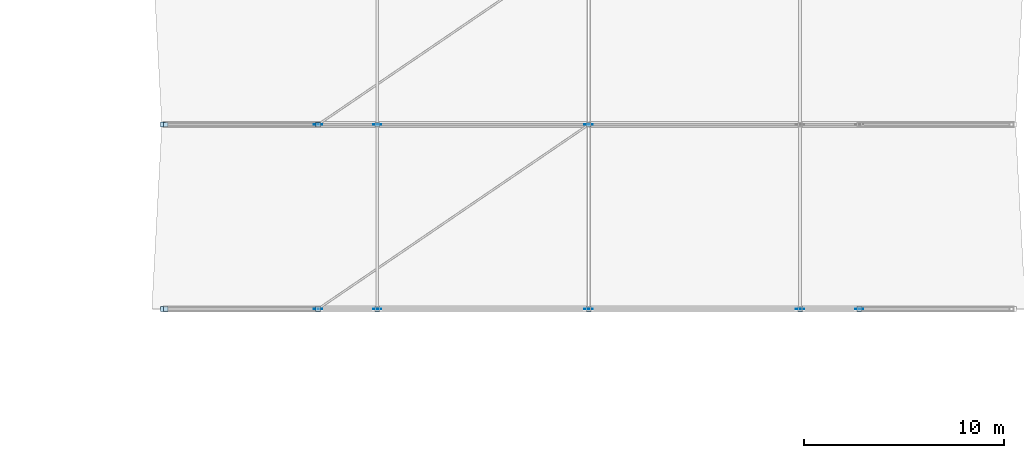
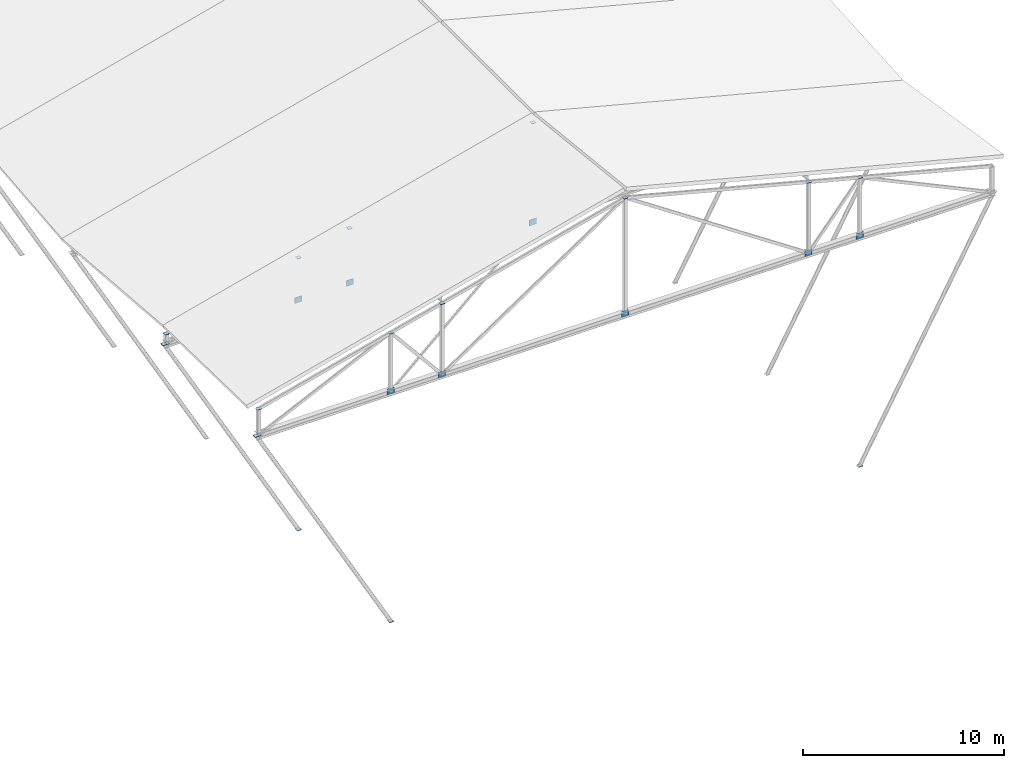
# One storey, part 48 of 56: 25 plates.
"""IFC4 building model written with IfcOpenShell, lengths in metres."""

from ifc_helpers import new_model, si_unit, direction, frame, origin, origin_2d, place, context, subcontext, project, spatial, rectangle, extrude, material, layer, layer_set, type_object, element, save


model = new_model("IFC4")

# Units and contexts
model_context = context("Model", 3, precision=1e-05, world=origin(), true_north=direction((0.0, 1.0)))
body_context = subcontext(model_context, "Body", "Model", "MODEL_VIEW")
ifc_project = project(units=[si_unit("LENGTHUNIT", "METRE"), si_unit("AREAUNIT", "SQUARE_METRE"), si_unit("VOLUMEUNIT", "CUBIC_METRE"), si_unit("PLANEANGLEUNIT", "RADIAN"), si_unit("MASSUNIT", "GRAM", prefix="KILO")], contexts=[model_context])

# Site, building, storey
site_placement = place(None, origin())
site = spatial("IfcSite", under=ifc_project, at=site_placement, CompositionType="ELEMENT")
building_placement = place(site_placement, origin())
building = spatial("IfcBuilding", under=site, at=building_placement, Name="Bozkorgan Art Gallery", CompositionType="ELEMENT")
storey_placement = place(building_placement, frame((0.0, 0.0, 24.0)))
storey = spatial("IfcBuildingStorey", under=building, at=storey_placement, Name="L05", CompositionType="ELEMENT", Elevation=24.0)

# Plates
ifc_material = material(Name="Steel S355J2", Category="steel")
ifc_layer_1 = layer(ifc_material, 0.01611328125, Name="Steel S355J2")
ifc_layer_set_1 = layer_set([ifc_layer_1], Name="Steel S355J2")
plate_type_1 = type_object("IfcPlateType", Name="PLATE-EC-05", PredefinedType="USERDEFINED", material=ifc_layer_set_1)
for number, where, z_axis, x_axis, name in (
    (1, (66.39990234375, 47.60009765625, 1.772216796875), (0.0, 0.0, 1.0), (1.0, 0.0, 0.0), "Truss V4 post cap 1.0"),
    (2, (66.39990234375, 47.60009765625, 0.171875), (0.0, 0.0, 1.0), (1.0, 0.0, 0.0), "Truss V4 post base cap 1.0"),
    (3, (74.0, 47.60009765625, 3.737548828125), (0.0, 0.0, 1.0), (1.0, 0.0, 0.0), "Truss V4 post cap 1.1"),
    (4, (76.949951171875, 47.60009765625, 4.50048828125), (0.0, 0.0, 1.0), (1.0, 0.0, 0.0), "Truss V4 post cap 1.2"),
    (5, (87.5, 47.60009765625, 7.22900390625), (0.0, 0.0, 1.0), (1.0, 0.0, 0.0), "Truss V4 post cap 1.3"),
    (6, (98.050048828125, 47.60009765625, 4.50048828125), (0.0, 0.0, 1.0), (1.0, 0.0, 0.0), "Truss V4 post cap 1.4"),
    (7, (101.0, 47.60009765625, 3.737548828125), (0.0, 0.0, 1.0), (1.0, 0.0, 0.0), "Truss V4 post cap 1.5"),
    (8, (66.39990234375, 56.800048828125, 0.7646484375), (0.0, 0.0, 1.0), (1.0, 0.0, 0.0), "Truss V4 post cap 2.0"),
    (9, (66.39990234375, 56.800048828125, 0.171875), (0.0, 0.0, 1.0), (1.0, 0.0, 0.0), "Truss V4 post base cap 2.0"),
    (10, (74.0, 56.800048828125, 2.72998046875), (0.0, 0.0, 1.0), (1.0, 0.0, 0.0), "Truss V4 post cap 2.1"),
    (11, (76.949951171875, 56.800048828125, 3.492919921875), (0.0, 0.0, 1.0), (1.0, 0.0, 0.0), "Truss V4 post cap 2.2"),
    (12, (87.5, 56.800048828125, 6.221435546875), (0.0, 0.0, 1.0), (1.0, 0.0, 0.0), "Truss V4 post cap 2.3"),
):
    element("IfcPlate", number, at=place(storey_placement, frame(where, z_axis=z_axis, x_axis=x_axis)), inside=storey, type_object=plate_type_1, Name=name, ObjectType="END CAP PLATE", PredefinedType="USERDEFINED", context=body_context, shape_type="SweptSolid", body=[
        extrude(rectangle(XDim=0.22998046875, YDim=0.22998046875, at=origin_2d()), origin(), (0.0, 0.0, 1.0), 0.01611328125),
    ])
ifc_layer_2 = layer(ifc_material, 0.02001953125, Name="Steel S355J2")
ifc_layer_set_2 = layer_set([ifc_layer_2], Name="Steel S355J2")
plate_type_2 = type_object("IfcPlateType", Name="PLATE-EC-24", PredefinedType="USERDEFINED", material=ifc_layer_set_2)
for number, where, z_axis, x_axis, name in (
    (13, (74.0, 47.60009765625, -13.81005859375), (0.0, 0.0, 1.0), (1.0, 0.0, 0.0), "ROOF-V4-MAIN west swept-eave diagonal tree-strut 1 end cap 1"),
    (14, (66.260009765625, 47.60009765625, 0.169921875), (0.0, 0.0, 1.0), (1.0, 0.0, 0.0), "ROOF-V4-MAIN west swept-eave diagonal tree-strut 1 end cap 2"),
    (15, (74.0, 56.800048828125, -13.81005859375), (0.0, 0.0, 1.0), (1.0, 0.0, 0.0), "ROOF-V4-MAIN west swept-eave diagonal tree-strut 2 end cap 1"),
    (16, (66.260009765625, 56.800048828125, 0.169921875), (0.0, 0.0, 1.0), (1.0, 0.0, 0.0), "ROOF-V4-MAIN west swept-eave diagonal tree-strut 2 end cap 2"),
    (17, (101.0, 47.60009765625, -13.81005859375), (0.0, 0.0, 1.0), (1.0, 0.0, 0.0), "ROOF-V4-MAIN east swept-eave diagonal tree-strut 1 end cap 1"),
):
    element("IfcPlate", number, at=place(storey_placement, frame(where, z_axis=z_axis, x_axis=x_axis)), inside=storey, type_object=plate_type_2, Name=name, ObjectType="END CAP PLATE", PredefinedType="USERDEFINED", context=body_context, shape_type="SweptSolid", body=[
        extrude(rectangle(XDim=0.239990234375, YDim=0.239990234375, at=origin_2d()), origin(), (0.0, 0.0, 1.0), 0.02001953125),
    ])
ifc_layer_3 = layer(ifc_material, 0.02392578125, Name="Steel S355J2")
ifc_layer_set_3 = layer_set([ifc_layer_3], Name="Steel S355J2")
plate_type_3 = type_object("IfcPlateType", Name="PLATE-GP-38", PredefinedType="USERDEFINED", material=ifc_layer_set_3)
for number, where, z_axis, x_axis, name in (
    (18, (87.5, 47.60009765625, 0.0), (0.0, 0.0, 1.0), (1.0, 0.0, 0.0), "Truss V4 span 1 node gusset TN-3"),
    (19, (87.5, 56.800048828125, 0.0), (0.0, 0.0, 1.0), (1.0, 0.0, 0.0), "Truss V4 span 2 node gusset TN-3"),
):
    element("IfcPlate", number, at=place(storey_placement, frame(where, z_axis=z_axis, x_axis=x_axis)), inside=storey, type_object=plate_type_3, Name=name, ObjectType="GUSSET PLATE", PredefinedType="USERDEFINED", context=body_context, shape_type="SweptSolid", body=[
        extrude(rectangle(XDim=0.419921875, YDim=0.02001953125, at=origin_2d()), origin(), (0.0, 0.0, 1.0), 0.360107421875),
    ])
ifc_layer_4 = layer(ifc_material, 0.02001953125, Name="Steel S355J2")
ifc_layer_set_4 = layer_set([ifc_layer_4], Name="Steel S355J2")
plate_type_4 = type_object("IfcPlateType", Name="PLATE-GP-55", PredefinedType="USERDEFINED", material=ifc_layer_set_4)
for number, where, z_axis, x_axis, name in (
    (20, (74.0, 47.60009765625, 0.0), (0.0, 0.0, 1.0), (1.0, 0.0, 0.0), "Truss V4 span 1 node gusset TN-1"),
    (21, (76.949951171875, 47.60009765625, 0.0), (0.0, 0.0, 1.0), (1.0, 0.0, 0.0), "Truss V4 span 1 node gusset TN-2"),
    (22, (98.050048828125, 47.60009765625, 0.0), (0.0, 0.0, 1.0), (1.0, 0.0, 0.0), "Truss V4 span 1 node gusset TN-4"),
    (23, (101.0, 47.60009765625, 0.0), (0.0, 0.0, 1.0), (1.0, 0.0, 0.0), "Truss V4 span 1 node gusset TN-5"),
    (24, (74.0, 56.800048828125, 0.0), (0.0, 0.0, 1.0), (1.0, 0.0, 0.0), "Truss V4 span 2 node gusset TN-1"),
    (25, (76.949951171875, 56.800048828125, 0.0), (0.0, 0.0, 1.0), (1.0, 0.0, 0.0), "Truss V4 span 2 node gusset TN-2"),
):
    element("IfcPlate", number, at=place(storey_placement, frame(where, z_axis=z_axis, x_axis=x_axis)), inside=storey, type_object=plate_type_4, Name=name, ObjectType="GUSSET PLATE", PredefinedType="USERDEFINED", context=body_context, shape_type="SweptSolid", body=[
        extrude(rectangle(XDim=0.419921875, YDim=0.02001953125, at=origin_2d()), origin(), (0.0, 0.0, 1.0), 0.360107421875),
    ])

save(model, "model.ifc")
